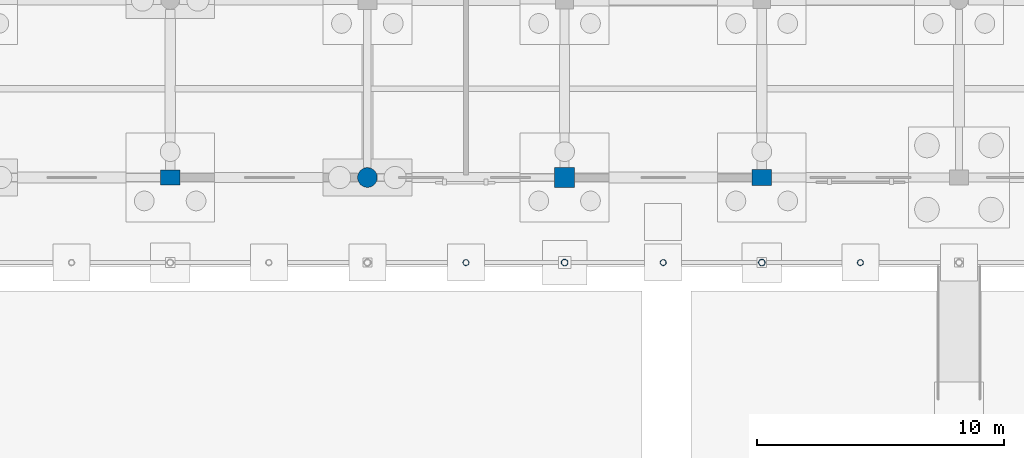
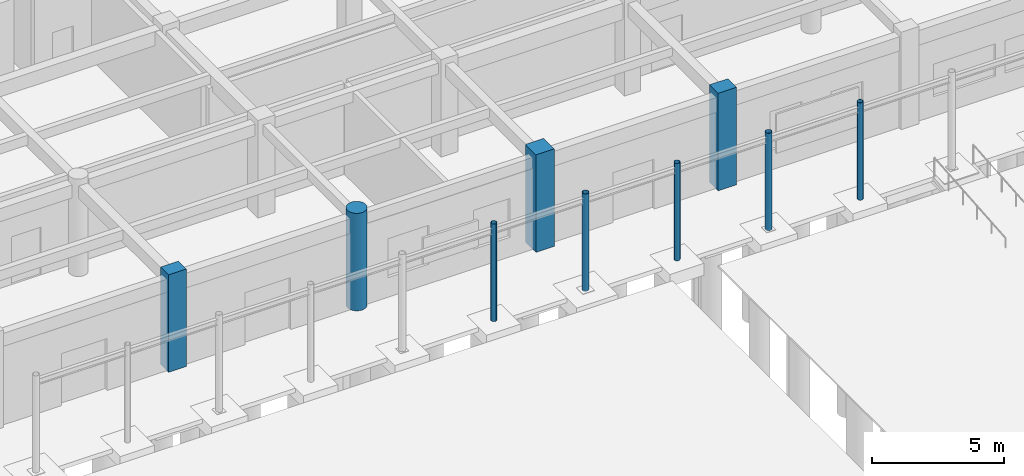
# One storey, part 35 of 166: 9 columns.
"""IFC4 building model written with IfcOpenShell, lengths in metres."""

from ifc_helpers import new_model, si_unit, direction, frame, origin, origin_2d, place, context, subcontext, project, spatial, rectangle, circle, hollow_circle, extrude, material, material_profile, profile_set, type_object, element, save


model = new_model("IFC4")

# Units and contexts
model_context = context("Model", 3, precision=1e-05, world=origin(), true_north=direction((0.0, 1.0)))
body_context = subcontext(model_context, "Body", "Model", "MODEL_VIEW")
ifc_project = project(units=[si_unit("LENGTHUNIT", "METRE"), si_unit("AREAUNIT", "SQUARE_METRE"), si_unit("VOLUMEUNIT", "CUBIC_METRE"), si_unit("PLANEANGLEUNIT", "RADIAN"), si_unit("MASSUNIT", "GRAM", prefix="KILO")], contexts=[model_context])

# Site, building, storey
site_placement = place(None, origin())
site = spatial("IfcSite", under=ifc_project, at=site_placement, CompositionType="ELEMENT")
building_placement = place(site_placement, origin())
building = spatial("IfcBuilding", under=site, at=building_placement, Name="Kharva Crest Polytechnic", CompositionType="ELEMENT")
storey_placement = place(building_placement, origin())
storey = spatial("IfcBuildingStorey", under=building, at=storey_placement, Name="L00", CompositionType="ELEMENT", Elevation=0.0)

# Columns
ifc_material_1 = material(Name="Concrete C40/50", Category="concrete")
ifc_material_profile_1 = material_profile(ifc_material_1, rectangle(XDim=0.780029296875, YDim=0.60009765625, at=origin_2d()), Name="RECT 780 X 600")
ifc_profile_set_1 = profile_set([ifc_material_profile_1], Name="Concrete C40/50")
column_type_1 = type_object("IfcColumnType", Name="COL-EXT-780X600", PredefinedType="COLUMN", material=ifc_profile_set_1)
column_1_placement = place(storey_placement, frame((64.0, 100.39990234375, 0.0), z_axis=(0.0, 0.0, 1.0), x_axis=(1.0, 0.0, 0.0)))
element("IfcColumn", 1, at=column_1_placement, inside=storey, type_object=column_type_1, Name="L00 Column 9/P", PredefinedType="COLUMN", context=body_context, shape_type="SweptSolid", body=[
    extrude(rectangle(XDim=0.780029296875, YDim=0.60009765625, at=origin_2d()), origin(), (0.0, 0.0, 1.0), 4.5),
])
ifc_material_profile_2 = material_profile(ifc_material_1, rectangle(XDim=0.800048828125, YDim=0.64990234375, at=origin_2d()), Name="RECT 800 X 650")
ifc_profile_set_2 = profile_set([ifc_material_profile_2], Name="Concrete C40/50")
column_type_2 = type_object("IfcColumnType", Name="COL-EXT-800X650", PredefinedType="COLUMN", material=ifc_profile_set_2)
column_2_placement = place(storey_placement, frame((88.0, 100.39990234375, 0.0), z_axis=(0.0, 0.0, 1.0), x_axis=(1.0, 0.0, 0.0)))
element("IfcColumn", 2, at=column_2_placement, inside=storey, type_object=column_type_2, Name="L00 Column 12/P", PredefinedType="COLUMN", context=body_context, shape_type="SweptSolid", body=[
    extrude(rectangle(XDim=0.800048828125, YDim=0.64990234375, at=origin_2d()), origin(), (0.0, 0.0, 1.0), 4.5),
])
ifc_material_profile_3 = material_profile(ifc_material_1, rectangle(XDim=0.800048828125, YDim=0.800048828125, at=origin_2d()), Name="RECT 800 X 800")
ifc_profile_set_3 = profile_set([ifc_material_profile_3], Name="Concrete C40/50")
column_type_3 = type_object("IfcColumnType", Name="COL-EXT-800X800", PredefinedType="COLUMN", material=ifc_profile_set_3)
column_3_placement = place(storey_placement, frame((80.0, 100.39990234375, 0.0), z_axis=(0.0, 0.0, 1.0), x_axis=(1.0, 0.0, 0.0)))
element("IfcColumn", 3, at=column_3_placement, inside=storey, type_object=column_type_3, Name="L00 Column 11/P", PredefinedType="COLUMN", context=body_context, shape_type="SweptSolid", body=[
    extrude(rectangle(XDim=0.800048828125, YDim=0.800048828125, at=origin_2d()), origin(), (0.0, 0.0, 1.0), 4.5),
])
ifc_material_profile_4 = material_profile(ifc_material_1, circle(Radius=0.39990234375, at=origin_2d()), Name="DIA 800")
ifc_profile_set_4 = profile_set([ifc_material_profile_4], Name="Concrete C40/50")
column_type_4 = type_object("IfcColumnType", Name="COL-EXT-DIA800", PredefinedType="COLUMN", material=ifc_profile_set_4)
column_4_placement = place(storey_placement, frame((72.0, 100.39990234375, 0.0), z_axis=(0.0, 0.0, 1.0), x_axis=(1.0, 0.0, 0.0)))
element("IfcColumn", 4, at=column_4_placement, inside=storey, type_object=column_type_4, Name="L00 Column 10/P", PredefinedType="COLUMN", context=body_context, shape_type="SweptSolid", body=[
    extrude(circle(Radius=0.39990234375, at=origin_2d()), origin(), (0.0, 0.0, 1.0), 4.5),
])
ifc_material_2 = material(Name="Steel S355", Category="steel")
ifc_material_profile_5 = material_profile(ifc_material_2, hollow_circle(Radius=0.122314453125, WallThickness=0.010009765625, at=origin_2d()), Name="CHS 244.5X10.0")
ifc_profile_set_5 = profile_set([ifc_material_profile_5], Name="Steel S355")
column_type_5 = type_object("IfcColumnType", Name="COL-STL-CHS244", PredefinedType="COLUMN", material=ifc_profile_set_5)
for number, where, z_axis, x_axis, name in (
    (5, (76.0, 96.949951171875, 0.0), (0.0, 0.0, 1.0), (1.0, 0.0, 0.0), "L00 Colonnade Mid Column VNM03"),
    (6, (84.0, 96.949951171875, 0.0), (0.0, 0.0, 1.0), (1.0, 0.0, 0.0), "L00 Colonnade Mid Column VNM04"),
    (7, (92.0, 96.949951171875, 0.0), (0.0, 0.0, 1.0), (1.0, 0.0, 0.0), "L00 Colonnade Mid Column VNM05"),
):
    element("IfcColumn", number, at=place(storey_placement, frame(where, z_axis=z_axis, x_axis=x_axis)), inside=storey, type_object=column_type_5, Name=name, PredefinedType="COLUMN", context=body_context, shape_type="SweptSolid", body=[
        extrude(hollow_circle(Radius=0.122314453125, WallThickness=0.010009765625, at=origin_2d()), origin(), (0.0, 0.0, 1.0), 4.5),
    ])
ifc_material_profile_6 = material_profile(ifc_material_2, hollow_circle(Radius=0.136474609375, WallThickness=0.012451171875, at=origin_2d()), Name="CHS 273.0X12.5")
ifc_profile_set_6 = profile_set([ifc_material_profile_6], Name="Steel S355")
column_type_6 = type_object("IfcColumnType", Name="COL-STL-CHS273", PredefinedType="COLUMN", material=ifc_profile_set_6)
for number, where, z_axis, x_axis, name in (
    (8, (80.0, 96.949951171875, 0.0), (0.0, 0.0, 1.0), (1.0, 0.0, 0.0), "L00 Colonnade Column VN04"),
    (9, (88.0, 96.949951171875, 0.0), (0.0, 0.0, 1.0), (1.0, 0.0, 0.0), "L00 Colonnade Column VN05"),
):
    element("IfcColumn", number, at=place(storey_placement, frame(where, z_axis=z_axis, x_axis=x_axis)), inside=storey, type_object=column_type_6, Name=name, PredefinedType="COLUMN", context=body_context, shape_type="SweptSolid", body=[
        extrude(hollow_circle(Radius=0.136474609375, WallThickness=0.012451171875, at=origin_2d()), origin(), (0.0, 0.0, 1.0), 4.5),
    ])

save(model, "model.ifc")
